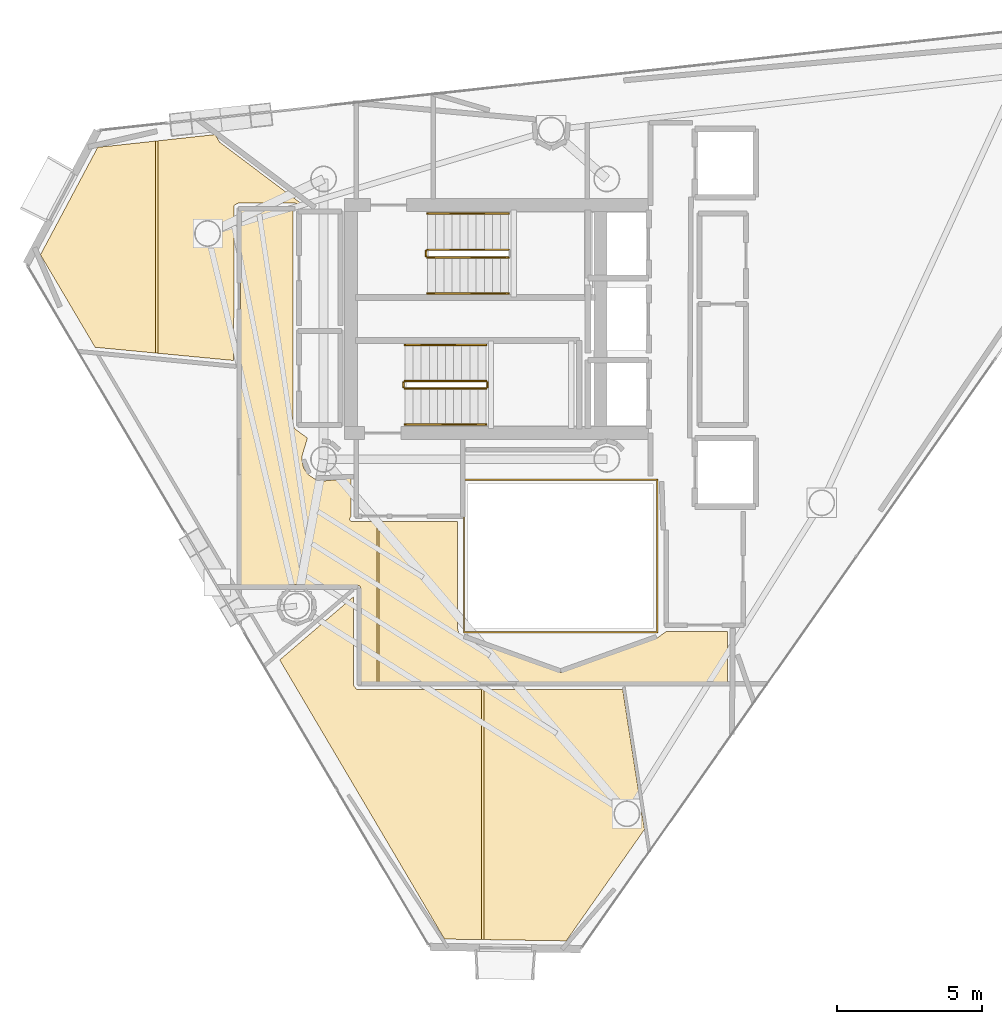
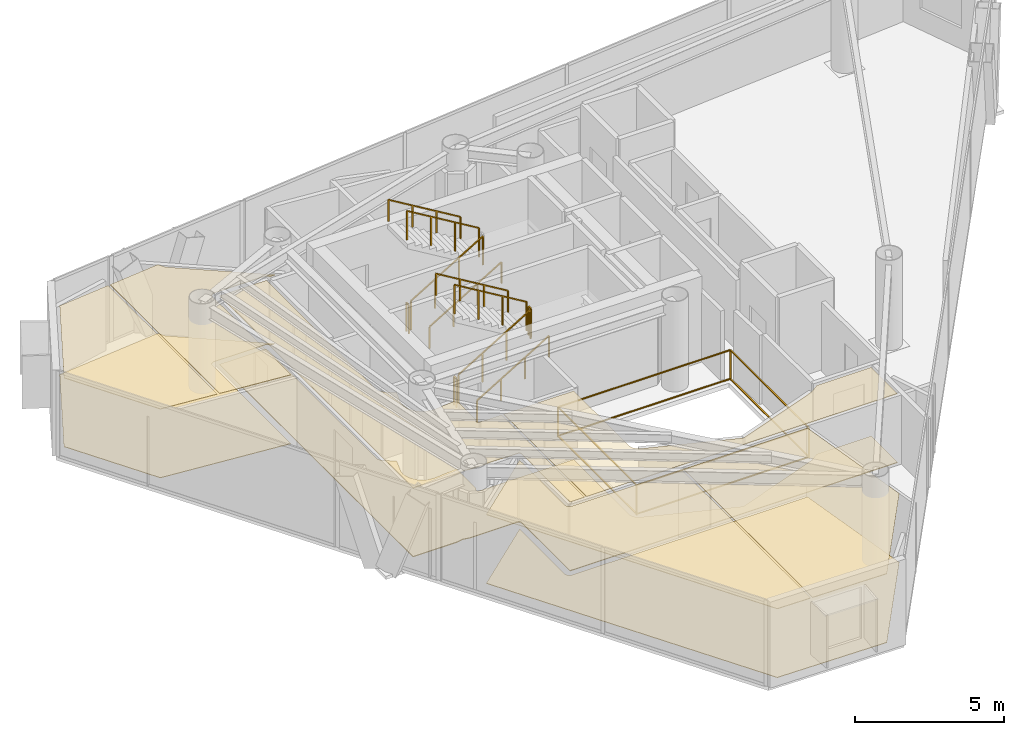
# One storey, part 18 of 19: 12 railings, 9 coverings.
"""IFC4 building model written with IfcOpenShell, lengths in metres."""

from ifc_helpers import new_model, si_unit, direction, frame, origin, origin_2d, place, context, subcontext, project, spatial, polyline, rectangle, outline, extrude, material, layer, layer_set, type_object, element, save


model = new_model("IFC4")

# Units and contexts
model_context = context("Model", 3, precision=1e-05, world=origin(), true_north=direction((0.0, 1.0)))
body_context = subcontext(model_context, "Body", "Model", "MODEL_VIEW")
ifc_project = project(units=[si_unit("LENGTHUNIT", "METRE"), si_unit("AREAUNIT", "SQUARE_METRE"), si_unit("VOLUMEUNIT", "CUBIC_METRE"), si_unit("PLANEANGLEUNIT", "RADIAN"), si_unit("MASSUNIT", "GRAM", prefix="KILO")], contexts=[model_context])

# Site, building, storey
site_placement = place(None, origin())
site = spatial("IfcSite", under=ifc_project, at=site_placement, CompositionType="ELEMENT")
building_placement = place(site_placement, origin())
building = spatial("IfcBuilding", under=site, at=building_placement, Name="Qianvela Tower", CompositionType="ELEMENT")
storey_placement = place(building_placement, frame((0.0, 0.0, 280.60009765625)))
storey = spatial("IfcBuildingStorey", under=building, at=storey_placement, Name="L72", CompositionType="ELEMENT", Elevation=280.60009765625)

# Coverings
ifc_material_1 = material(Name="Perforated Mineral Acoustic Ceiling Tile")
ifc_layer_1 = layer(ifc_material_1, 0.02490234375)
ifc_layer_set_1 = layer_set([ifc_layer_1], Name="Perforated Mineral Acoustic Ceiling Tile")
covering_type_1 = type_object("IfcCoveringType", Name="COV-CEIL-ACOUSTIC-25", PredefinedType="CEILING", material=ifc_layer_set_1)
covering_1_placement = place(storey_placement, frame((0.0, 0.0, 2.81494140625)))
element("IfcCovering", 1, at=covering_1_placement, inside=storey, type_object=covering_type_1, Name="L72 Acoustic Ceiling Bay 1 L72 Floor Corridor", PredefinedType="CEILING", context=body_context, shape_type="SweptSolid", body=[
    extrude(outline(polyline([(27.85009765625, 23.85009765625), (27.850341796875, 23.84228515625), (27.8515625, 23.83447265625), (27.902587890625, 23.577880859375), (27.904296875, 23.5703125), (27.906982421875, 23.56298828125), (27.910400390625, 23.555908203125), (27.91455078125, 23.54931640625), (28.059814453125, 23.331787109375), (28.064453125, 23.325439453125), (28.069580078125, 23.319580078125), (28.075439453125, 23.314453125), (28.081787109375, 23.309814453125), (28.29931640625, 23.16455078125), (28.305908203125, 23.160400390625), (28.31298828125, 23.156982421875), (28.3203125, 23.154296875), (28.327880859375, 23.152587890625), (28.58447265625, 23.1015625), (28.59228515625, 23.100341796875), (28.60009765625, 23.10009765625), (28.60791015625, 23.100341796875), (29.55810546875, 23.194091796875), (29.55810546875, 21.877685546875), (29.52001953125, 21.82958984375), (29.515380859375, 21.822998046875), (29.51171875, 21.81640625), (29.508544921875, 21.809326171875), (29.506103515625, 21.802001953125), (29.504150390625, 21.794189453125), (29.503173828125, 21.78662109375), (29.5029296875, 21.77880859375), (29.50341796875, 21.77099609375), (29.504638671875, 21.763427734375), (29.506591796875, 21.755859375), (29.50927734375, 21.74853515625), (29.5126953125, 21.74169921875), (29.516845703125, 21.735107421875), (29.521484375, 21.728759765625), (29.52685546875, 21.722900390625), (29.53271484375, 21.7177734375), (29.538818359375, 21.713134765625), (29.54541015625, 21.709228515625), (29.552490234375, 21.7060546875), (29.559814453125, 21.703369140625), (29.5673828125, 21.701416015625), (29.5751953125, 21.700439453125), (29.5830078125, 21.699951171875), (30.443115234375, 21.699951171875), (30.443115234375, 16.1298828125), (29.8798828125, 16.1298828125), (29.8798828125, 19.39990234375), (29.879638671875, 19.40771484375), (29.87841796875, 19.41552734375), (29.876708984375, 19.423095703125), (29.873779296875, 19.4306640625), (29.87060546875, 19.437744140625), (29.866455078125, 19.4443359375), (29.86181640625, 19.45068359375), (29.856689453125, 19.45654296875), (29.850830078125, 19.4619140625), (29.844482421875, 19.466552734375), (29.837646484375, 19.470703125), (29.83056640625, 19.473876953125), (29.8232421875, 19.4765625), (29.815673828125, 19.478515625), (29.807861328125, 19.4794921875), (29.800048828125, 19.47998046875), (27.910888671875, 19.47998046875), (27.684814453125, 19.522705078125), (27.677490234375, 19.523681640625), (27.669921875, 19.52392578125), (27.66259765625, 19.523681640625), (27.6552734375, 19.522705078125), (27.42919921875, 19.47998046875), (25.72998046875, 19.47998046875), (25.72998046875, 32.469970703125), (27.5400390625, 32.469970703125), (27.5400390625, 25.04638671875), (27.540283203125, 25.038818359375), (27.54150390625, 25.03125), (27.543212890625, 25.023681640625), (27.545654296875, 25.0166015625), (27.548828125, 25.009765625), (27.552734375, 25.003173828125), (27.61328125, 24.90869140625), (27.61767578125, 24.90283203125), (27.622314453125, 24.8974609375), (27.62744140625, 24.892333984375), (27.633056640625, 24.8876953125), (28.042236328125, 24.584228515625), (27.8662109375, 24.00390625), (27.864501953125, 23.996337890625), (27.86328125, 23.988525390625), (27.850341796875, 23.85791015625), (27.85009765625, 23.85009765625)])), origin(), (0.0, 0.0, 1.0), 0.02490234375),
])
covering_2_placement = place(storey_placement, frame((0.0, 0.0, 2.81494140625)))
element("IfcCovering", 2, at=covering_2_placement, inside=storey, type_object=covering_type_1, Name="L72 Acoustic Ceiling Bay 2 L72 Floor Corridor", PredefinedType="CEILING", context=body_context, shape_type="SweptSolid", body=[
    extrude(outline(polyline([(33.239990234375, 21.699951171875), (33.239990234375, 18.0), (33.240478515625, 17.990234375), (33.242431640625, 17.980712890625), (33.275390625, 17.8486328125), (33.277587890625, 17.841796875), (33.2802734375, 17.8349609375), (33.283447265625, 17.82861328125), (33.287353515625, 17.822509765625), (33.29150390625, 17.81689453125), (33.29638671875, 17.811279296875), (33.411376953125, 17.696533203125), (33.41796875, 17.690673828125), (33.42529296875, 17.685546875), (33.432861328125, 17.68115234375), (33.44091796875, 17.677734375), (36.77294921875, 16.482666015625), (36.780517578125, 16.48046875), (36.7880859375, 16.47900390625), (36.7958984375, 16.47802734375), (36.803955078125, 16.47802734375), (36.811767578125, 16.47900390625), (36.8193359375, 16.48046875), (36.826904296875, 16.482666015625), (40.134033203125, 17.666015625), (40.140869140625, 17.668701171875), (40.1474609375, 17.672119140625), (40.153564453125, 17.676025390625), (40.458740234375, 17.89306640625), (42.570068359375, 17.899658203125), (42.570068359375, 16.1298828125), (30.523193359375, 16.1298828125), (30.523193359375, 21.699951171875), (33.239990234375, 21.699951171875)])), origin(), (0.0, 0.0, 1.0), 0.02490234375),
])
covering_3_placement = place(storey_placement, frame((0.0, 0.0, 2.81494140625)))
element("IfcCovering", 3, at=covering_3_placement, inside=storey, type_object=covering_type_1, Name="L72 Acoustic Ceiling Bay 1 Project Huddle Conference L72-02", PredefinedType="CEILING", context=body_context, shape_type="SweptSolid", body=[
    extrude(outline(polyline([(29.639892578125, 19.1005859375), (29.639892578125, 16.050048828125), (29.640380859375, 16.042724609375), (29.641357421875, 16.035400390625), (29.64306640625, 16.0283203125), (29.645263671875, 16.021484375), (29.648193359375, 16.014892578125), (29.651611328125, 16.00830078125), (29.65576171875, 16.002197265625), (29.71240234375, 15.92578125), (29.7177734375, 15.91943359375), (29.7236328125, 15.91357421875), (29.730224609375, 15.908447265625), (29.737060546875, 15.904052734375), (29.744384765625, 15.900146484375), (29.752197265625, 15.897216796875), (29.76025390625, 15.895263671875), (29.7685546875, 15.893798828125), (29.776611328125, 15.893310546875), (34.06689453125, 15.891845703125), (34.06689453125, 7.23193359375), (32.7861328125, 7.25048828125), (27.08349609375, 16.90869140625), (29.639892578125, 19.1005859375)])), origin(), (0.0, 0.0, 1.0), 0.02490234375),
])
covering_4_placement = place(storey_placement, frame((0.0, 0.0, 2.81494140625)))
element("IfcCovering", 4, at=covering_4_placement, inside=storey, type_object=covering_type_1, Name="L72 Acoustic Ceiling Bay 2 Project Huddle Conference L72-02", PredefinedType="CEILING", context=body_context, shape_type="SweptSolid", body=[
    extrude(outline(polyline([(38.948974609375, 15.889892578125), (39.702880859375, 11.042236328125), (36.99658203125, 7.189697265625), (34.146728515625, 7.23095703125), (34.146728515625, 15.891845703125), (38.948974609375, 15.889892578125)])), origin(), (0.0, 0.0, 1.0), 0.02490234375),
])
covering_5_placement = place(storey_placement, frame((0.0, 0.0, 2.81494140625)))
element("IfcCovering", 5, at=covering_5_placement, inside=storey, type_object=covering_type_1, Name="L72 Acoustic Ceiling Bay 1 Floor Dining Kitchen L72-04", PredefinedType="CEILING", context=body_context, shape_type="SweptSolid", body=[
    extrude(outline(polyline([(22.7919921875, 34.8623046875), (22.7919921875, 27.52587890625), (20.6962890625, 27.72607421875), (18.8056640625, 30.927978515625), (20.7861328125, 34.644287109375), (22.7919921875, 34.8623046875)])), origin(), (0.0, 0.0, 1.0), 0.02490234375),
])
covering_6_placement = place(storey_placement, frame((0.0, 0.0, 2.81494140625)))
element("IfcCovering", 6, at=covering_6_placement, inside=storey, type_object=covering_type_1, Name="L72 Acoustic Ceiling Bay 2 Floor Dining Kitchen L72-04", PredefinedType="CEILING", context=body_context, shape_type="SweptSolid", body=[
    extrude(outline(polyline([(24.851318359375, 35.086181640625), (24.99072265625, 34.84033203125), (24.9951171875, 34.83349609375), (25.000244140625, 34.826904296875), (25.006103515625, 34.821044921875), (25.01220703125, 34.81591796875), (27.94775390625, 32.608154296875), (27.7626953125, 32.607666015625), (27.759521484375, 32.6201171875), (27.757080078125, 32.62744140625), (27.754150390625, 32.634765625), (27.75048828125, 32.6416015625), (27.74609375, 32.648193359375), (27.7412109375, 32.654296875), (27.735595703125, 32.659912109375), (27.7294921875, 32.6650390625), (27.722900390625, 32.66943359375), (27.716064453125, 32.673095703125), (27.654296875, 32.702392578125), (27.647705078125, 32.705078125), (27.64111328125, 32.707275390625), (27.634033203125, 32.708740234375), (27.627197265625, 32.709716796875), (27.6201171875, 32.7099609375), (25.64990234375, 32.7099609375), (25.641357421875, 32.70947265625), (25.6328125, 32.7080078125), (25.62451171875, 32.705810546875), (25.616455078125, 32.70263671875), (25.60888671875, 32.698486328125), (25.538330078125, 32.65625), (25.531494140625, 32.651611328125), (25.525146484375, 32.646484375), (25.519287109375, 32.640625), (25.514404296875, 32.634033203125), (25.510009765625, 32.627197265625), (25.506103515625, 32.619873046875), (25.50341796875, 32.6123046875), (25.501220703125, 32.604248046875), (25.5, 32.59619140625), (25.49951171875, 32.587890625), (25.490234375, 27.2685546875), (22.8720703125, 27.518310546875), (22.8720703125, 34.87109375), (24.851318359375, 35.086181640625)])), origin(), (0.0, 0.0, 1.0), 0.02490234375),
])
ifc_material_2 = material(Name="Engineered Acoustic Oak Timber Flooring", Category="wood")
ifc_layer_2 = layer(ifc_material_2, 0.02001953125)
ifc_layer_set_2 = layer_set([ifc_layer_2], Name="Engineered Acoustic Oak Timber Flooring")
covering_type_2 = type_object("IfcCoveringType", Name="COV-FLOOR-OAK-20", PredefinedType="FLOORING", material=ifc_layer_set_2)
covering_7_placement = place(storey_placement, origin())
element("IfcCovering", 7, at=covering_7_placement, inside=storey, type_object=covering_type_2, Name="L72 Finish Flooring Project Huddle Conference L72-02", PredefinedType="FLOORING", context=body_context, shape_type="SweptSolid", body=[
    extrude(outline(polyline([(27.08349609375, 16.90869140625), (29.639892578125, 19.1005859375), (29.639892578125, 16.050048828125), (29.640380859375, 16.042724609375), (29.641357421875, 16.035400390625), (29.64306640625, 16.0283203125), (29.645263671875, 16.021484375), (29.648193359375, 16.014892578125), (29.651611328125, 16.00830078125), (29.65576171875, 16.002197265625), (29.71240234375, 15.92578125), (29.7177734375, 15.91943359375), (29.7236328125, 15.91357421875), (29.730224609375, 15.908447265625), (29.737060546875, 15.904052734375), (29.744384765625, 15.900146484375), (29.752197265625, 15.897216796875), (29.76025390625, 15.895263671875), (29.7685546875, 15.893798828125), (29.776611328125, 15.893310546875), (38.948974609375, 15.889892578125), (39.702880859375, 11.042236328125), (36.99658203125, 7.189697265625), (32.7861328125, 7.25048828125), (27.08349609375, 16.90869140625)])), origin(), (0.0, 0.0, 1.0), 0.02001953125),
])
covering_8_placement = place(storey_placement, origin())
element("IfcCovering", 8, at=covering_8_placement, inside=storey, type_object=covering_type_2, Name="L72 Finish Flooring Floor Dining Kitchen L72-04", PredefinedType="FLOORING", context=body_context, shape_type="SweptSolid", body=[
    extrude(outline(polyline([(20.7861328125, 34.644287109375), (24.851318359375, 35.086181640625), (24.99072265625, 34.84033203125), (24.9951171875, 34.83349609375), (25.000244140625, 34.826904296875), (25.006103515625, 34.821044921875), (25.01220703125, 34.81591796875), (27.94775390625, 32.608154296875), (27.7626953125, 32.607666015625), (27.759521484375, 32.6201171875), (27.757080078125, 32.62744140625), (27.754150390625, 32.634765625), (27.75048828125, 32.6416015625), (27.74609375, 32.648193359375), (27.7412109375, 32.654296875), (27.735595703125, 32.659912109375), (27.7294921875, 32.6650390625), (27.722900390625, 32.66943359375), (27.716064453125, 32.673095703125), (27.654296875, 32.702392578125), (27.647705078125, 32.705078125), (27.64111328125, 32.707275390625), (27.634033203125, 32.708740234375), (27.627197265625, 32.709716796875), (27.6201171875, 32.7099609375), (25.64990234375, 32.7099609375), (25.641357421875, 32.70947265625), (25.6328125, 32.7080078125), (25.62451171875, 32.705810546875), (25.616455078125, 32.70263671875), (25.60888671875, 32.698486328125), (25.538330078125, 32.65625), (25.531494140625, 32.651611328125), (25.525146484375, 32.646484375), (25.519287109375, 32.640625), (25.514404296875, 32.634033203125), (25.510009765625, 32.627197265625), (25.506103515625, 32.619873046875), (25.50341796875, 32.6123046875), (25.501220703125, 32.604248046875), (25.5, 32.59619140625), (25.49951171875, 32.587890625), (25.490234375, 27.2685546875), (20.6962890625, 27.72607421875), (18.8056640625, 30.927978515625), (20.7861328125, 34.644287109375)])), origin(), (0.0, 0.0, 1.0), 0.02001953125),
])
ifc_material_3 = material(Name="Honed Stone Terrazzo Flooring", Category="masonry")
ifc_layer_3 = layer(ifc_material_3, 0.030029296875)
ifc_layer_set_3 = layer_set([ifc_layer_3], Name="Honed Stone Terrazzo Flooring")
covering_type_3 = type_object("IfcCoveringType", Name="COV-FLOOR-TERRAZZO-30", PredefinedType="FLOORING", material=ifc_layer_set_3)
covering_9_placement = place(storey_placement, origin())
element("IfcCovering", 9, at=covering_9_placement, inside=storey, type_object=covering_type_3, Name="L72 Finish Flooring L72 Floor Corridor", PredefinedType="FLOORING", context=body_context, shape_type="SweptSolid", body=[
    extrude(outline(polyline([(27.850341796875, 23.85791015625), (27.85009765625, 23.85009765625), (27.850341796875, 23.84228515625), (27.8515625, 23.83447265625), (27.902587890625, 23.577880859375), (27.904296875, 23.5703125), (27.906982421875, 23.56298828125), (27.910400390625, 23.555908203125), (27.91455078125, 23.54931640625), (28.059814453125, 23.331787109375), (28.064453125, 23.325439453125), (28.069580078125, 23.319580078125), (28.075439453125, 23.314453125), (28.081787109375, 23.309814453125), (28.29931640625, 23.16455078125), (28.305908203125, 23.160400390625), (28.31298828125, 23.156982421875), (28.3203125, 23.154296875), (28.327880859375, 23.152587890625), (28.58447265625, 23.1015625), (28.59228515625, 23.100341796875), (28.60009765625, 23.10009765625), (28.60791015625, 23.100341796875), (29.55810546875, 23.194091796875), (29.55810546875, 21.877685546875), (29.52001953125, 21.82958984375), (29.515380859375, 21.822998046875), (29.51171875, 21.81640625), (29.508544921875, 21.809326171875), (29.506103515625, 21.802001953125), (29.504150390625, 21.794189453125), (29.503173828125, 21.78662109375), (29.5029296875, 21.77880859375), (29.50341796875, 21.77099609375), (29.504638671875, 21.763427734375), (29.506591796875, 21.755859375), (29.50927734375, 21.74853515625), (29.5126953125, 21.74169921875), (29.516845703125, 21.735107421875), (29.521484375, 21.728759765625), (29.52685546875, 21.722900390625), (29.53271484375, 21.7177734375), (29.538818359375, 21.713134765625), (29.54541015625, 21.709228515625), (29.552490234375, 21.7060546875), (29.559814453125, 21.703369140625), (29.5673828125, 21.701416015625), (29.5751953125, 21.700439453125), (29.5830078125, 21.699951171875), (33.239990234375, 21.699951171875), (33.239990234375, 18.0), (33.240478515625, 17.990234375), (33.242431640625, 17.980712890625), (33.275390625, 17.8486328125), (33.277587890625, 17.841796875), (33.2802734375, 17.8349609375), (33.283447265625, 17.82861328125), (33.287353515625, 17.822509765625), (33.29150390625, 17.81689453125), (33.29638671875, 17.811279296875), (33.411376953125, 17.696533203125), (33.41796875, 17.690673828125), (33.42529296875, 17.685546875), (33.432861328125, 17.68115234375), (33.44091796875, 17.677734375), (36.77294921875, 16.482666015625), (36.780517578125, 16.48046875), (36.7880859375, 16.47900390625), (36.7958984375, 16.47802734375), (36.803955078125, 16.47802734375), (36.811767578125, 16.47900390625), (36.8193359375, 16.48046875), (36.826904296875, 16.482666015625), (40.134033203125, 17.666015625), (40.140869140625, 17.668701171875), (40.1474609375, 17.672119140625), (40.153564453125, 17.676025390625), (40.458740234375, 17.89306640625), (42.570068359375, 17.899658203125), (42.570068359375, 16.1298828125), (29.8798828125, 16.1298828125), (29.8798828125, 19.39990234375), (29.879638671875, 19.40771484375), (29.87841796875, 19.41552734375), (29.876708984375, 19.423095703125), (29.873779296875, 19.4306640625), (29.87060546875, 19.437744140625), (29.866455078125, 19.4443359375), (29.86181640625, 19.45068359375), (29.856689453125, 19.45654296875), (29.850830078125, 19.4619140625), (29.844482421875, 19.466552734375), (29.837646484375, 19.470703125), (29.83056640625, 19.473876953125), (29.8232421875, 19.4765625), (29.815673828125, 19.478515625), (29.807861328125, 19.4794921875), (29.800048828125, 19.47998046875), (27.910888671875, 19.47998046875), (27.684814453125, 19.522705078125), (27.677490234375, 19.523681640625), (27.669921875, 19.52392578125), (27.66259765625, 19.523681640625), (27.6552734375, 19.522705078125), (27.42919921875, 19.47998046875), (25.72998046875, 19.47998046875), (25.72998046875, 32.469970703125), (27.5400390625, 32.469970703125), (27.5400390625, 25.04638671875), (27.540283203125, 25.038818359375), (27.54150390625, 25.03125), (27.543212890625, 25.023681640625), (27.545654296875, 25.0166015625), (27.548828125, 25.009765625), (27.552734375, 25.003173828125), (27.61328125, 24.90869140625), (27.61767578125, 24.90283203125), (27.622314453125, 24.8974609375), (27.62744140625, 24.892333984375), (27.633056640625, 24.8876953125), (28.042236328125, 24.584228515625), (27.8662109375, 24.00390625), (27.864501953125, 23.996337890625), (27.86328125, 23.988525390625), (27.850341796875, 23.85791015625)])), origin(), (0.0, 0.0, 1.0), 0.02978515625),
])

# Railings
ifc_material_4 = material(Name="Laminated Safety Glass and Stainless Steel 316", Category="steel")
railing_type_1 = type_object("IfcRailingType", Name="RL-ATRIUM-GUARD-1250", PredefinedType="GUARDRAIL", material=ifc_material_4)
railing_1_placement = place(storey_placement, frame((33.4599609375, 17.860107421875, 0.0)))
element("IfcRailing", 10, at=railing_1_placement, inside=storey, type_object=railing_type_1, Name="L72 Atrium Edge Guardrail 1", PredefinedType="GUARDRAIL", context=body_context, shape_type="SweptSolid", body=[
    extrude(rectangle(XDim=0.050048828125, YDim=0.0400390625, at=origin_2d()), frame((0.0, 0.0, 1.22998046875), z_axis=(0.0, 1.0, 0.0), x_axis=(-1.0, 0.0, 0.0)), (0.0, 0.0, 1.0), 5.27978515625),
    extrude(rectangle(XDim=0.050048828125, YDim=0.0400390625, at=origin_2d()), frame((0.0, 0.0, 0.050048828125), z_axis=(0.0, 1.0, 0.0), x_axis=(-1.0, 0.0, 0.0)), (0.0, 0.0, 1.0), 5.27978515625),
    extrude(rectangle(XDim=0.050048828125, YDim=0.0400390625, at=origin_2d()), frame((0.0, 5.27978515625, 1.22998046875), z_axis=(1.0, 0.0, 0.0), x_axis=(0.0, 1.0, 0.0)), (0.0, 0.0, 1.0), 6.679931640625),
    extrude(rectangle(XDim=0.050048828125, YDim=0.0400390625, at=origin_2d()), frame((0.0, 5.27978515625, 0.050048828125), z_axis=(1.0, 0.0, 0.0), x_axis=(0.0, 1.0, 0.0)), (0.0, 0.0, 1.0), 6.679931640625),
    extrude(rectangle(XDim=0.050048828125, YDim=0.0400390625, at=origin_2d()), frame((6.679931640625, 5.27978515625, 1.22998046875), z_axis=(0.0, -1.0, 0.0), x_axis=(1.0, 0.0, 0.0)), (0.0, 0.0, 1.0), 5.27978515625),
    extrude(rectangle(XDim=0.050048828125, YDim=0.0400390625, at=origin_2d()), frame((6.679931640625, 5.27978515625, 0.050048828125), z_axis=(0.0, -1.0, 0.0), x_axis=(1.0, 0.0, 0.0)), (0.0, 0.0, 1.0), 5.27978515625),
    extrude(rectangle(XDim=0.050048828125, YDim=0.0400390625, at=origin_2d()), frame((6.679931640625, 0.0, 1.22998046875), z_axis=(-1.0, 0.0, 0.0), x_axis=(0.0, -1.0, 0.0)), (0.0, 0.0, 1.0), 6.679931640625),
    extrude(rectangle(XDim=0.050048828125, YDim=0.0400390625, at=origin_2d()), frame((6.679931640625, 0.0, 0.050048828125), z_axis=(-1.0, 0.0, 0.0), x_axis=(0.0, -1.0, 0.0)), (0.0, 0.0, 1.0), 6.679931640625),
    extrude(rectangle(XDim=0.050048828125, YDim=0.050048828125, at=origin_2d()), origin(), (0.0, 0.0, 1.0), 1.2099609375),
    extrude(rectangle(XDim=0.050048828125, YDim=0.050048828125, at=origin_2d()), frame((0.0, 5.27978515625, 0.0)), (0.0, 0.0, 1.0), 1.2099609375),
    extrude(rectangle(XDim=0.050048828125, YDim=0.050048828125, at=origin_2d()), frame((6.679931640625, 5.27978515625, 0.0)), (0.0, 0.0, 1.0), 1.2099609375),
    extrude(rectangle(XDim=0.050048828125, YDim=0.050048828125, at=origin_2d()), frame((6.679931640625, 0.0, 0.0)), (0.0, 0.0, 1.0), 1.2099609375),
])
ifc_material_5 = material(Name="Painted Tubular Steel Q355B", Category="steel")
railing_type_2 = type_object("IfcRailingType", Name="RL-STAIR-GUARD-1200", PredefinedType="GUARDRAIL", material=ifc_material_5)
railing_2_placement = place(storey_placement, frame((32.199951171875, 30.840087890625, 0.16796875)))
element("IfcRailing", 11, at=railing_2_placement, inside=storey, type_object=railing_type_2, Name="L72 ST-1 stair guard 1", PredefinedType="GUARDRAIL", context=body_context, shape_type="SweptSolid", body=[
    extrude(rectangle(XDim=0.050048828125, YDim=0.0400390625, at=origin_2d()), frame((0.0, 0.0, 1.179931640625), z_axis=(0.857242210791, 0.0, 0.514913383045), x_axis=(0.0, 1.0, 0.0)), (0.0, 0.0, 1.0), 3.266357421875),
    extrude(rectangle(XDim=0.050048828125, YDim=0.050048828125, at=origin_2d()), origin(), (0.0, 0.0, 1.0), 1.159912109375),
    extrude(rectangle(XDim=0.050048828125, YDim=0.050048828125, at=origin_2d()), frame((0.933349609375, 0.0, 0.560546875)), (0.0, 0.0, 1.0), 1.159912109375),
    extrude(rectangle(XDim=0.050048828125, YDim=0.050048828125, at=origin_2d()), frame((1.86669921875, 0.0, 1.121337890625)), (0.0, 0.0, 1.0), 1.159912109375),
    extrude(rectangle(XDim=0.050048828125, YDim=0.050048828125, at=origin_2d()), frame((2.800048828125, 0.0, 1.681884765625)), (0.0, 0.0, 1.0), 1.159912109375),
])
railing_3_placement = place(storey_placement, frame((35.0, 31.10009765625, 2.01806640625)))
element("IfcRailing", 12, at=railing_3_placement, inside=storey, type_object=railing_type_2, Name="L72 ST-1 stair guard 3", PredefinedType="GUARDRAIL", context=body_context, shape_type="SweptSolid", body=[
    extrude(rectangle(XDim=0.050048828125, YDim=0.0400390625, at=origin_2d()), frame((0.0, 0.0, 1.179931640625), z_axis=(-0.857242210791, 0.0, 0.514913383045), x_axis=(0.0, -1.0, 0.0)), (0.0, 0.0, 1.0), 3.266357421875),
    extrude(rectangle(XDim=0.050048828125, YDim=0.050048828125, at=origin_2d()), origin(), (0.0, 0.0, 1.0), 1.159912109375),
    extrude(rectangle(XDim=0.050048828125, YDim=0.050048828125, at=origin_2d()), frame((-0.933349609375, 0.0, 0.560546875)), (0.0, 0.0, 1.0), 1.159912109375),
    extrude(rectangle(XDim=0.050048828125, YDim=0.050048828125, at=origin_2d()), frame((-1.86669921875, 0.0, 1.121337890625)), (0.0, 0.0, 1.0), 1.159912109375),
    extrude(rectangle(XDim=0.050048828125, YDim=0.050048828125, at=origin_2d()), frame((-2.800048828125, 0.0, 1.681884765625)), (0.0, 0.0, 1.0), 1.159912109375),
])
railing_4_placement = place(storey_placement, frame((32.14990234375, 30.889892578125, 0.0)))
element("IfcRailing", 13, at=railing_4_placement, inside=storey, type_object=railing_type_2, Name="L72 ST-1 stair guard 4", PredefinedType="GUARDRAIL", context=body_context, shape_type="SweptSolid", body=[
    extrude(rectangle(XDim=0.050048828125, YDim=0.0400390625, at=origin_2d()), frame((0.0, 0.0, 1.179931640625), z_axis=(0.0, 1.0, 0.0), x_axis=(-1.0, 0.0, 0.0)), (0.0, 0.0, 1.0), 0.16015625),
    extrude(rectangle(XDim=0.050048828125, YDim=0.050048828125, at=origin_2d()), origin(), (0.0, 0.0, 1.0), 1.159912109375),
    extrude(rectangle(XDim=0.050048828125, YDim=0.050048828125, at=origin_2d()), frame((0.0, 0.16015625, 0.0)), (0.0, 0.0, 1.0), 1.159912109375),
])
railing_5_placement = place(storey_placement, frame((31.419921875, 26.300048828125, 0.16796875)))
element("IfcRailing", 14, at=railing_5_placement, inside=storey, type_object=railing_type_2, Name="L72 ST-2 stair guard 1", PredefinedType="GUARDRAIL", context=body_context, shape_type="SweptSolid", body=[
    extrude(rectangle(XDim=0.050048828125, YDim=0.0400390625, at=origin_2d()), frame((0.0, 0.0, 1.179931640625), z_axis=(0.857242210791, 0.0, 0.514913383045), x_axis=(0.0, 1.0, 0.0)), (0.0, 0.0, 1.0), 3.266357421875),
    extrude(rectangle(XDim=0.050048828125, YDim=0.050048828125, at=origin_2d()), origin(), (0.0, 0.0, 1.0), 1.159912109375),
    extrude(rectangle(XDim=0.050048828125, YDim=0.050048828125, at=origin_2d()), frame((0.933349609375, 0.0, 0.560546875)), (0.0, 0.0, 1.0), 1.159912109375),
    extrude(rectangle(XDim=0.050048828125, YDim=0.050048828125, at=origin_2d()), frame((1.86669921875, 0.0, 1.121337890625)), (0.0, 0.0, 1.0), 1.159912109375),
    extrude(rectangle(XDim=0.050048828125, YDim=0.050048828125, at=origin_2d()), frame((2.800048828125, 0.0, 1.681884765625)), (0.0, 0.0, 1.0), 1.159912109375),
])
railing_6_placement = place(storey_placement, frame((34.27001953125, 26.35009765625, 1.849853515625)))
element("IfcRailing", 15, at=railing_6_placement, inside=storey, type_object=railing_type_2, Name="L72 ST-2 stair guard 2", PredefinedType="GUARDRAIL", context=body_context, shape_type="SweptSolid", body=[
    extrude(rectangle(XDim=0.050048828125, YDim=0.0400390625, at=origin_2d()), frame((0.0, 0.0, 1.179931640625), z_axis=(0.0, 1.0, 0.0), x_axis=(-1.0, 0.0, 0.0)), (0.0, 0.0, 1.0), 0.159912109375),
    extrude(rectangle(XDim=0.050048828125, YDim=0.050048828125, at=origin_2d()), origin(), (0.0, 0.0, 1.0), 1.159912109375),
    extrude(rectangle(XDim=0.050048828125, YDim=0.050048828125, at=origin_2d()), frame((0.0, 0.159912109375, 0.0)), (0.0, 0.0, 1.0), 1.159912109375),
])
railing_7_placement = place(storey_placement, frame((34.219970703125, 26.56005859375, 2.01806640625)))
element("IfcRailing", 16, at=railing_7_placement, inside=storey, type_object=railing_type_2, Name="L72 ST-2 stair guard 3", PredefinedType="GUARDRAIL", context=body_context, shape_type="SweptSolid", body=[
    extrude(rectangle(XDim=0.050048828125, YDim=0.0400390625, at=origin_2d()), frame((0.0, 0.0, 1.179931640625), z_axis=(-0.857242210791, 0.0, 0.514913383045), x_axis=(0.0, -1.0, 0.0)), (0.0, 0.0, 1.0), 3.266357421875),
    extrude(rectangle(XDim=0.050048828125, YDim=0.050048828125, at=origin_2d()), origin(), (0.0, 0.0, 1.0), 1.159912109375),
    extrude(rectangle(XDim=0.050048828125, YDim=0.050048828125, at=origin_2d()), frame((-0.933349609375, 0.0, 0.560546875)), (0.0, 0.0, 1.0), 1.159912109375),
    extrude(rectangle(XDim=0.050048828125, YDim=0.050048828125, at=origin_2d()), frame((-1.86669921875, 0.0, 1.121337890625)), (0.0, 0.0, 1.0), 1.159912109375),
    extrude(rectangle(XDim=0.050048828125, YDim=0.050048828125, at=origin_2d()), frame((-2.800048828125, 0.0, 1.681884765625)), (0.0, 0.0, 1.0), 1.159912109375),
])
railing_8_placement = place(storey_placement, frame((31.3701171875, 26.35009765625, 0.0)))
element("IfcRailing", 17, at=railing_8_placement, inside=storey, type_object=railing_type_2, Name="L72 ST-2 stair guard 4", PredefinedType="GUARDRAIL", context=body_context, shape_type="SweptSolid", body=[
    extrude(rectangle(XDim=0.050048828125, YDim=0.0400390625, at=origin_2d()), frame((0.0, 0.0, 1.179931640625), z_axis=(0.0, 1.0, 0.0), x_axis=(-1.0, 0.0, 0.0)), (0.0, 0.0, 1.0), 0.159912109375),
    extrude(rectangle(XDim=0.050048828125, YDim=0.050048828125, at=origin_2d()), origin(), (0.0, 0.0, 1.0), 1.159912109375),
    extrude(rectangle(XDim=0.050048828125, YDim=0.050048828125, at=origin_2d()), frame((0.0, 0.159912109375, 0.0)), (0.0, 0.0, 1.0), 1.159912109375),
])
ifc_material_6 = material(Name="Brushed Stainless Steel 304", Category="steel")
railing_type_3 = type_object("IfcRailingType", Name="RL-STAIR-HANDRAIL-900", PredefinedType="HANDRAIL", material=ifc_material_6)
railing_9_placement = place(storey_placement, frame((32.199951171875, 29.590087890625, 0.16796875)))
element("IfcRailing", 18, at=railing_9_placement, inside=storey, type_object=railing_type_3, Name="L72 ST-1 stair handrail 1", PredefinedType="HANDRAIL", context=body_context, shape_type="SweptSolid", body=[
    extrude(rectangle(XDim=0.050048828125, YDim=0.0400390625, at=origin_2d()), frame((0.0, 0.0, 0.8798828125), z_axis=(0.857242210791, 0.0, 0.514913383045), x_axis=(0.0, 1.0, 0.0)), (0.0, 0.0, 1.0), 3.266357421875),
    extrude(rectangle(XDim=0.050048828125, YDim=0.050048828125, at=origin_2d()), origin(), (0.0, 0.0, 1.0), 0.85986328125),
    extrude(rectangle(XDim=0.050048828125, YDim=0.050048828125, at=origin_2d()), frame((0.933349609375, 0.0, 0.560546875)), (0.0, 0.0, 1.0), 0.85986328125),
    extrude(rectangle(XDim=0.050048828125, YDim=0.050048828125, at=origin_2d()), frame((1.86669921875, 0.0, 1.121337890625)), (0.0, 0.0, 1.0), 0.85986328125),
    extrude(rectangle(XDim=0.050048828125, YDim=0.050048828125, at=origin_2d()), frame((2.800048828125, 0.0, 1.681884765625)), (0.0, 0.0, 1.0), 0.85986328125),
])
railing_10_placement = place(storey_placement, frame((35.0, 32.35009765625, 2.01806640625)))
element("IfcRailing", 19, at=railing_10_placement, inside=storey, type_object=railing_type_3, Name="L72 ST-1 stair handrail 2", PredefinedType="HANDRAIL", context=body_context, shape_type="SweptSolid", body=[
    extrude(rectangle(XDim=0.050048828125, YDim=0.0400390625, at=origin_2d()), frame((0.0, 0.0, 0.8798828125), z_axis=(-0.857242210791, 0.0, 0.514913383045), x_axis=(0.0, -1.0, 0.0)), (0.0, 0.0, 1.0), 3.266357421875),
    extrude(rectangle(XDim=0.050048828125, YDim=0.050048828125, at=origin_2d()), origin(), (0.0, 0.0, 1.0), 0.85986328125),
    extrude(rectangle(XDim=0.050048828125, YDim=0.050048828125, at=origin_2d()), frame((-0.933349609375, 0.0, 0.560546875)), (0.0, 0.0, 1.0), 0.85986328125),
    extrude(rectangle(XDim=0.050048828125, YDim=0.050048828125, at=origin_2d()), frame((-1.86669921875, 0.0, 1.121337890625)), (0.0, 0.0, 1.0), 0.85986328125),
    extrude(rectangle(XDim=0.050048828125, YDim=0.050048828125, at=origin_2d()), frame((-2.800048828125, 0.0, 1.681884765625)), (0.0, 0.0, 1.0), 0.85986328125),
])
railing_11_placement = place(storey_placement, frame((31.419921875, 25.050048828125, 0.16796875)))
element("IfcRailing", 20, at=railing_11_placement, inside=storey, type_object=railing_type_3, Name="L72 ST-2 stair handrail 1", PredefinedType="HANDRAIL", context=body_context, shape_type="SweptSolid", body=[
    extrude(rectangle(XDim=0.050048828125, YDim=0.0400390625, at=origin_2d()), frame((0.0, 0.0, 0.8798828125), z_axis=(0.857242210791, 0.0, 0.514913383045), x_axis=(0.0, 1.0, 0.0)), (0.0, 0.0, 1.0), 3.266357421875),
    extrude(rectangle(XDim=0.050048828125, YDim=0.050048828125, at=origin_2d()), origin(), (0.0, 0.0, 1.0), 0.85986328125),
    extrude(rectangle(XDim=0.050048828125, YDim=0.050048828125, at=origin_2d()), frame((0.933349609375, 0.0, 0.560546875)), (0.0, 0.0, 1.0), 0.85986328125),
    extrude(rectangle(XDim=0.050048828125, YDim=0.050048828125, at=origin_2d()), frame((1.86669921875, 0.0, 1.121337890625)), (0.0, 0.0, 1.0), 0.85986328125),
    extrude(rectangle(XDim=0.050048828125, YDim=0.050048828125, at=origin_2d()), frame((2.800048828125, 0.0, 1.681884765625)), (0.0, 0.0, 1.0), 0.85986328125),
])
railing_12_placement = place(storey_placement, frame((34.219970703125, 27.81005859375, 2.01806640625)))
element("IfcRailing", 21, at=railing_12_placement, inside=storey, type_object=railing_type_3, Name="L72 ST-2 stair handrail 2", PredefinedType="HANDRAIL", context=body_context, shape_type="SweptSolid", body=[
    extrude(rectangle(XDim=0.050048828125, YDim=0.0400390625, at=origin_2d()), frame((0.0, 0.0, 0.8798828125), z_axis=(-0.857242210791, 0.0, 0.514913383045), x_axis=(0.0, -1.0, 0.0)), (0.0, 0.0, 1.0), 3.266357421875),
    extrude(rectangle(XDim=0.050048828125, YDim=0.050048828125, at=origin_2d()), origin(), (0.0, 0.0, 1.0), 0.85986328125),
    extrude(rectangle(XDim=0.050048828125, YDim=0.050048828125, at=origin_2d()), frame((-0.933349609375, 0.0, 0.560546875)), (0.0, 0.0, 1.0), 0.85986328125),
    extrude(rectangle(XDim=0.050048828125, YDim=0.050048828125, at=origin_2d()), frame((-1.86669921875, 0.0, 1.121337890625)), (0.0, 0.0, 1.0), 0.85986328125),
    extrude(rectangle(XDim=0.050048828125, YDim=0.050048828125, at=origin_2d()), frame((-2.800048828125, 0.0, 1.681884765625)), (0.0, 0.0, 1.0), 0.85986328125),
])

save(model, "model.ifc")
